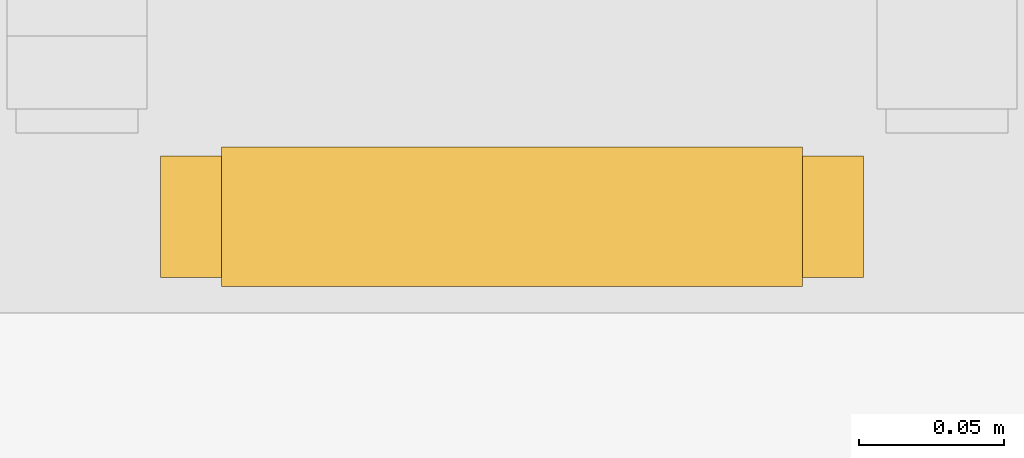
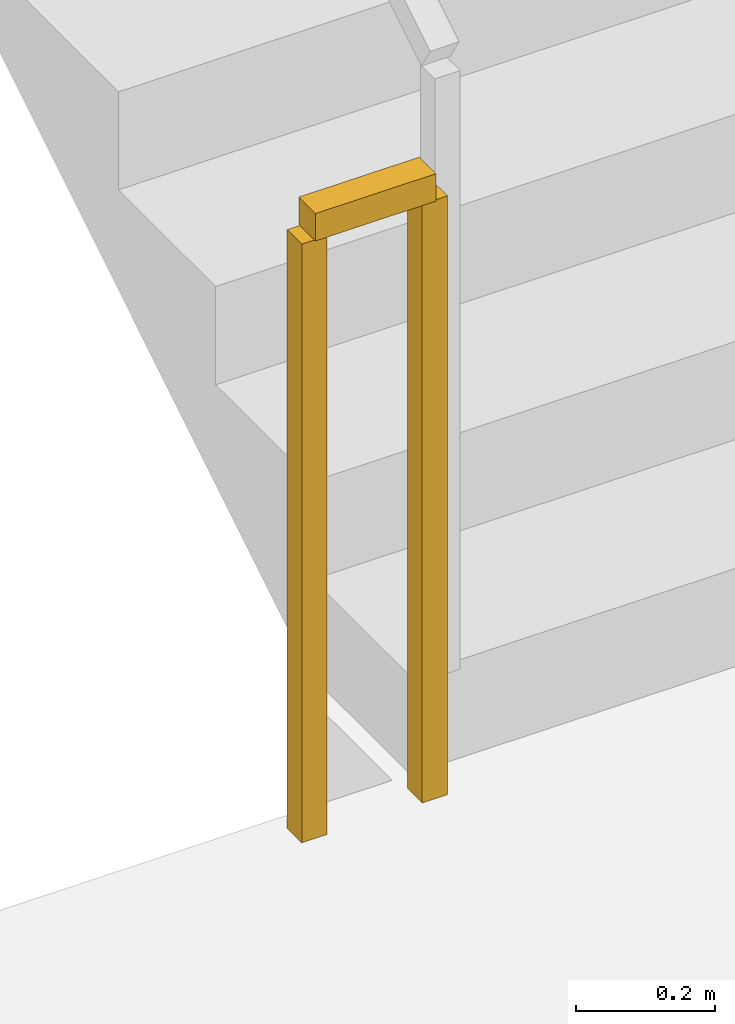
# One storey, part 8 of 11: 1 railing.
"""IFC4 building model written with IfcOpenShell, lengths in metres."""

from ifc_helpers import new_model, si_unit, direction, frame, origin, origin_2d, place, context, subcontext, project, spatial, rectangle, extrude, material, type_object, element, save


model = new_model("IFC4")

# Units and contexts
model_context = context("Model", 3, precision=1e-05, world=origin(), true_north=direction((0.0, 1.0)))
body_context = subcontext(model_context, "Body", "Model", "MODEL_VIEW")
ifc_project = project(units=[si_unit("LENGTHUNIT", "METRE"), si_unit("AREAUNIT", "SQUARE_METRE"), si_unit("VOLUMEUNIT", "CUBIC_METRE"), si_unit("PLANEANGLEUNIT", "RADIAN"), si_unit("MASSUNIT", "GRAM", prefix="KILO")], contexts=[model_context])

# Site, building, storey
site_placement = place(None, origin())
site = spatial("IfcSite", under=ifc_project, at=site_placement, CompositionType="ELEMENT")
building_placement = place(site_placement, origin())
building = spatial("IfcBuilding", under=site, at=building_placement, Name="Haldorwick Loom Tower", CompositionType="ELEMENT")
storey_placement = place(building_placement, frame((0.0, 0.0, 211.75)))
storey = spatial("IfcBuildingStorey", under=building, at=storey_placement, Name="L57", CompositionType="ELEMENT", Elevation=211.75)

# Railing
ifc_material = material(Name="Steel CSA G40.21 350W", Category="steel")
railing_type = type_object("IfcRailingType", Name="ARC-RLG-GUARD112", PredefinedType="GUARDRAIL", material=ifc_material)
railing_placement = place(storey_placement, frame((31.85009765625, 28.35009765625, 0.0)))
element("IfcRailing", 1, at=railing_placement, inside=storey, type_object=railing_type, Name="L57 ST-03 stair guard 4", PredefinedType="GUARDRAIL", context=body_context, shape_type="SweptSolid", body=[
    extrude(rectangle(XDim=0.048095703125, YDim=0.048095703125, at=origin_2d()), frame((0.0, 0.0, 1.076171875), z_axis=(-1.0, 0.0, 0.0), x_axis=(0.0, -1.0, 0.0)), (0.0, 0.0, 1.0), 0.2001953125),
    extrude(rectangle(XDim=0.0419921875, YDim=0.0419921875, at=origin_2d()), origin(), (0.0, 0.0, 1.0), 1.052001953125),
    extrude(rectangle(XDim=0.0419921875, YDim=0.0419921875, at=origin_2d()), frame((-0.2001953125, 0.0, 0.0)), (0.0, 0.0, 1.0), 1.052001953125),
])

save(model, "model.ifc")
